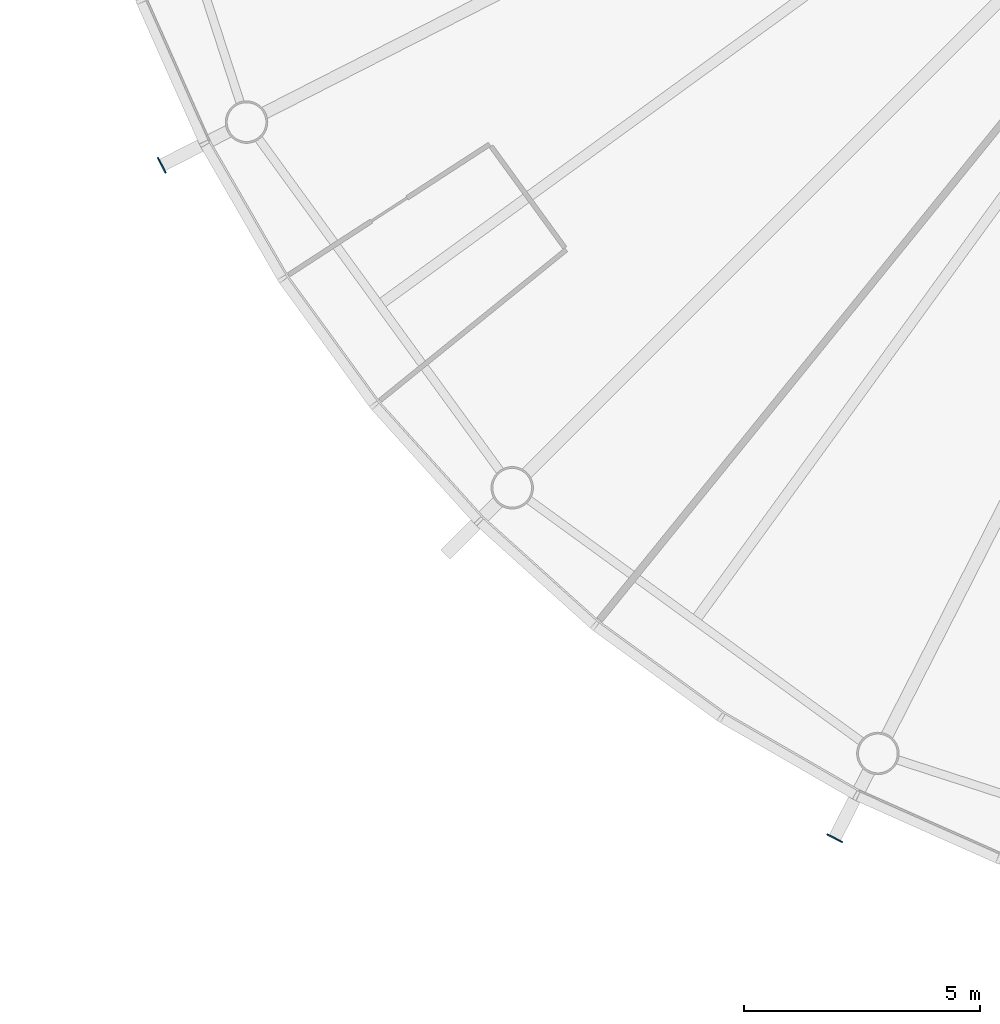
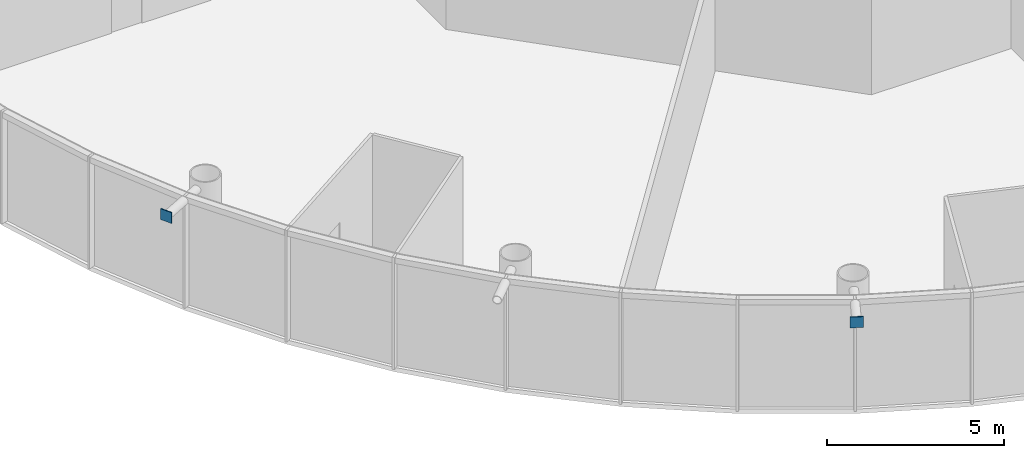
# One storey, part 7 of 18: 2 discrete accessories.
"""IFC4 building model written with IfcOpenShell, lengths in metres."""

from ifc_helpers import new_model, si_unit, direction, frame, origin, origin_2d, place, context, subcontext, project, spatial, rectangle, extrude, material, element, save


model = new_model("IFC4")

# Units and contexts
model_context = context("Model", 3, precision=1e-05, world=origin(), true_north=direction((0.0, 1.0)))
body_context = subcontext(model_context, "Body", "Model", "MODEL_VIEW")
ifc_project = project(units=[si_unit("LENGTHUNIT", "METRE"), si_unit("AREAUNIT", "SQUARE_METRE"), si_unit("VOLUMEUNIT", "CUBIC_METRE"), si_unit("PLANEANGLEUNIT", "RADIAN"), si_unit("MASSUNIT", "GRAM", prefix="KILO")], contexts=[model_context])

# Site, building, storey
site_placement = place(None, origin())
site = spatial("IfcSite", under=ifc_project, at=site_placement, CompositionType="ELEMENT")
building_placement = place(site_placement, origin())
building = spatial("IfcBuilding", under=site, at=building_placement, Name="Entoto Ring Tower", CompositionType="ELEMENT")
storey_placement = place(building_placement, frame((0.0, 0.0, 388.0)))
storey = spatial("IfcBuildingStorey", under=building, at=storey_placement, Name="L90", CompositionType="ELEMENT", Elevation=388.0)

# Discrete accessories
ifc_material = material(Name="Steel S355", Category="steel")
for number, where, z_axis, x_axis, name in (
    (1, (60.93994140625, 65.193115234375, 3.52685546875), (0.0, 0.0, 1.0), (-0.891006524188, -0.45399049974, 0.0), "Node strut end plate DS2 ring 28 12"),
    (2, (75.193115234375, 50.93994140625, 3.52685546875), (0.0, 0.0, 1.0), (-0.45399049974, -0.891006524188, 0.0), "Node strut end plate DS2 ring 28 14"),
):
    element("IfcDiscreteAccessory", number, at=place(storey_placement, frame(where, z_axis=z_axis, x_axis=x_axis)), inside=storey, material=ifc_material, Name=name, PredefinedType="BRACKET", context=body_context, shape_type="SweptSolid", body=[
        extrude(rectangle(XDim=0.030029296875, YDim=0.373046875, at=origin_2d()), origin(), (0.0, 0.0, 1.0), 0.373046875),
    ])

save(model, "model.ifc")
